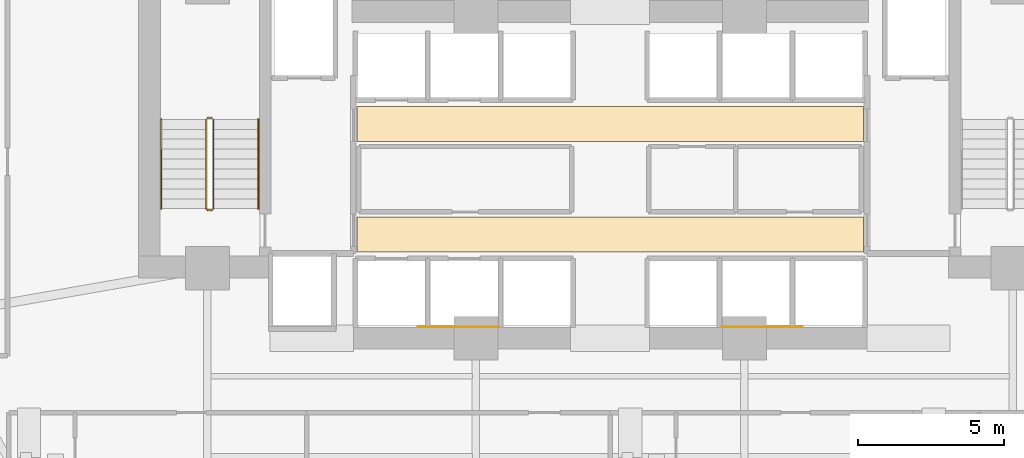
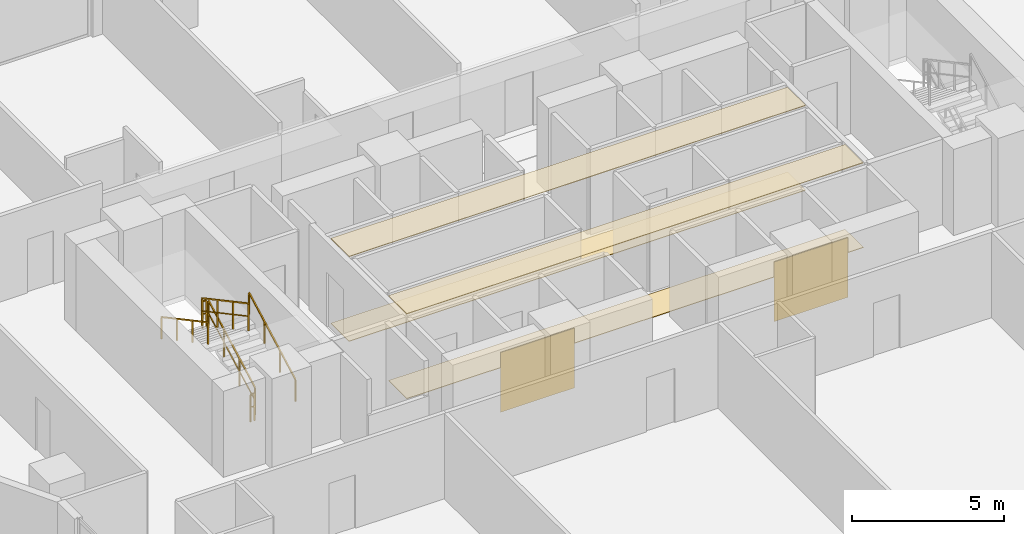
# One storey, part 27 of 30: 6 coverings, 6 railings.
"""IFC4 building model written with IfcOpenShell, lengths in metres."""

from ifc_helpers import new_model, si_unit, direction, frame, origin, origin_2d, place, context, subcontext, project, spatial, polyline, rectangle, outline, extrude, material, layer, layer_set, type_object, element, save


model = new_model("IFC4")

# Units and contexts
model_context = context("Model", 3, precision=1e-05, world=origin(), true_north=direction((0.0, 1.0)))
body_context = subcontext(model_context, "Body", "Model", "MODEL_VIEW")
ifc_project = project(units=[si_unit("LENGTHUNIT", "METRE"), si_unit("AREAUNIT", "SQUARE_METRE"), si_unit("VOLUMEUNIT", "CUBIC_METRE"), si_unit("PLANEANGLEUNIT", "RADIAN"), si_unit("MASSUNIT", "GRAM", prefix="KILO")], contexts=[model_context])

# Site, building, storey
site_placement = place(None, origin())
site = spatial("IfcSite", under=ifc_project, at=site_placement, CompositionType="ELEMENT")
building_placement = place(site_placement, origin())
building = spatial("IfcBuilding", under=site, at=building_placement, Name="Zuhayl Quay Hotel", CompositionType="ELEMENT")
storey_placement = place(building_placement, frame((0.0, 0.0, 135.800048828125)))
storey = spatial("IfcBuildingStorey", under=building, at=storey_placement, Name="L34", CompositionType="ELEMENT", Elevation=135.800048828125)

# Coverings
ifc_material_1 = material(Name="Acoustic Mineral-Fibre Gypsum Board")
ifc_layer_1 = layer(ifc_material_1, 0.02490234375, Name="Acoustic Mineral-Fibre Gypsum Board")
ifc_layer_set_1 = layer_set([ifc_layer_1], Name="Acoustic Mineral-Fibre Gypsum Board")
covering_type_1 = type_object("IfcCoveringType", Name="CV_CEIL_ACOUSTIC", PredefinedType="CEILING", material=ifc_layer_set_1)
covering_1_placement = place(storey_placement, frame((0.0, 0.0, 3.405029296875)))
element("IfcCovering", 1, at=covering_1_placement, inside=storey, type_object=covering_type_1, Name="L34 Suspended Acoustic Lobby Ceiling S", PredefinedType="CEILING", context=body_context, shape_type="SweptSolid", body=[
    extrude(outline(polyline([(-8.679931640625, 5.10009765625), (8.679931640625, 5.10009765625), (8.679931640625, 6.300048828125), (-8.679931640625, 6.300048828125), (-8.679931640625, 5.10009765625)])), origin(), (0.0, 0.0, 1.0), 0.02490234375),
])
covering_2_placement = place(storey_placement, frame((0.0, 0.0, 3.405029296875)))
element("IfcCovering", 2, at=covering_2_placement, inside=storey, type_object=covering_type_1, Name="L34 Suspended Acoustic Lobby Ceiling N", PredefinedType="CEILING", context=body_context, shape_type="SweptSolid", body=[
    extrude(outline(polyline([(-8.679931640625, 8.89990234375), (8.679931640625, 8.89990234375), (8.679931640625, 10.10009765625), (-8.679931640625, 10.10009765625), (-8.679931640625, 8.89990234375)])), origin(), (0.0, 0.0, 1.0), 0.02490234375),
])
ifc_material_2 = material(Name="Polished Limestone Terrazzo", Category="masonry")
ifc_layer_2 = layer(ifc_material_2, 0.02001953125, Name="Polished Limestone Terrazzo", Category="masonry")
ifc_layer_set_2 = layer_set([ifc_layer_2], Name="Polished Limestone Terrazzo")
covering_type_2 = type_object("IfcCoveringType", Name="CV_FLOOR_TERRAZZO", PredefinedType="FLOORING", material=ifc_layer_set_2)
covering_3_placement = place(storey_placement, origin())
element("IfcCovering", 3, at=covering_3_placement, inside=storey, type_object=covering_type_2, Name="L34 Honed Limestone Terrazzo Lobby Flooring S", PredefinedType="FLOORING", context=body_context, shape_type="SweptSolid", body=[
    extrude(outline(polyline([(-8.679931640625, 5.10009765625), (8.679931640625, 5.10009765625), (8.679931640625, 6.300048828125), (-8.679931640625, 6.300048828125), (-8.679931640625, 5.10009765625)])), origin(), (0.0, 0.0, 1.0), 0.02001953125),
])
covering_4_placement = place(storey_placement, origin())
element("IfcCovering", 4, at=covering_4_placement, inside=storey, type_object=covering_type_2, Name="L34 Honed Limestone Terrazzo Lobby Flooring N", PredefinedType="FLOORING", context=body_context, shape_type="SweptSolid", body=[
    extrude(outline(polyline([(-8.679931640625, 8.89990234375), (8.679931640625, 8.89990234375), (8.679931640625, 10.10009765625), (-8.679931640625, 10.10009765625), (-8.679931640625, 8.89990234375)])), origin(), (0.0, 0.0, 1.0), 0.02001953125),
])
ifc_material_3 = material(Name="Acoustic Walnut Feature Timber", Category="wood")
ifc_layer_3 = layer(ifc_material_3, 0.02197265625, Name="Acoustic Walnut Feature Timber", Category="wood")
ifc_layer_set_3 = layer_set([ifc_layer_3], Name="Acoustic Walnut Feature Timber")
covering_type_3 = type_object("IfcCoveringType", Name="CV_WALL_CLAD", PredefinedType="CLADDING", material=ifc_layer_set_3)
for number, where, z_axis, x_axis, name in (
    (5, (-5.199951171875, 2.535888671875, 0.300048828125), (0.0, 0.0, 1.0), (1.0, 0.0, 0.0), "L34 Feature Lobby Walnut Wall Cladding W"),
    (6, (5.199951171875, 2.535888671875, 0.300048828125), (0.0, 0.0, 1.0), (1.0, 0.0, 0.0), "L34 Feature Lobby Walnut Wall Cladding E"),
):
    element("IfcCovering", number, at=place(storey_placement, frame(where, z_axis=z_axis, x_axis=x_axis)), inside=storey, type_object=covering_type_3, Name=name, PredefinedType="CLADDING", context=body_context, shape_type="SweptSolid", body=[
        extrude(rectangle(XDim=2.800048828125, YDim=0.02197265625, at=origin_2d()), origin(), (0.0, 0.0, 1.0), 2.39990234375),
    ])

# Railings
ifc_material_4 = material(Name="Steel ASTM A992 Grade 50", Category="steel")
railing_type_1 = type_object("IfcRailingType", Name="RL_GUARD_1100", PredefinedType="GUARDRAIL", material=ifc_material_4)
railing_1_placement = place(storey_placement, frame((-13.590087890625, 6.590087890625, 0.182373046875)))
element("IfcRailing", 7, at=railing_1_placement, inside=storey, type_object=railing_type_1, Name="L34 ST1 stair guard 1", PredefinedType="GUARDRAIL", context=body_context, shape_type="SweptSolid", body=[
    extrude(rectangle(XDim=0.048095703125, YDim=0.048095703125, at=origin_2d()), frame((0.0, 0.0, 1.09619140625), z_axis=(0.0, 0.88107310026, 0.472980117973), x_axis=(-1.0, 0.0, 0.0)), (0.0, 0.0, 1.0), 3.472900390625),
    extrude(rectangle(XDim=0.0361328125, YDim=0.0361328125, at=origin_2d()), frame((0.0, 0.0, 0.58251953125), z_axis=(0.0, 0.88107310026, 0.472980117973), x_axis=(-1.0, 0.0, 0.0)), (0.0, 0.0, 1.0), 3.472900390625),
    extrude(rectangle(XDim=0.0419921875, YDim=0.0419921875, at=origin_2d()), origin(), (0.0, 0.0, 1.0), 1.072021484375),
    extrude(rectangle(XDim=0.0419921875, YDim=0.0419921875, at=origin_2d()), frame((0.0, 1.02001953125, 0.547607421875)), (0.0, 0.0, 1.0), 1.072021484375),
    extrude(rectangle(XDim=0.0419921875, YDim=0.0419921875, at=origin_2d()), frame((0.0, 2.039794921875, 1.094970703125)), (0.0, 0.0, 1.0), 1.072021484375),
    extrude(rectangle(XDim=0.0419921875, YDim=0.0419921875, at=origin_2d()), frame((0.0, 3.059814453125, 1.642578125)), (0.0, 0.0, 1.0), 1.072021484375),
])
railing_2_placement = place(storey_placement, frame((-13.639892578125, 9.699951171875, 1.824951171875)))
element("IfcRailing", 8, at=railing_2_placement, inside=storey, type_object=railing_type_1, Name="L34 ST1 stair guard 2", PredefinedType="GUARDRAIL", context=body_context, shape_type="SweptSolid", body=[
    extrude(rectangle(XDim=0.048095703125, YDim=0.048095703125, at=origin_2d()), frame((0.0, 0.0, 1.09619140625), z_axis=(-1.0, 0.0, 0.0), x_axis=(0.0, -1.0, 0.0)), (0.0, 0.0, 1.0), 0.150146484375),
    extrude(rectangle(XDim=0.0361328125, YDim=0.0361328125, at=origin_2d()), frame((0.0, 0.0, 0.58251953125), z_axis=(-1.0, 0.0, 0.0), x_axis=(0.0, -1.0, 0.0)), (0.0, 0.0, 1.0), 0.150146484375),
    extrude(rectangle(XDim=0.0419921875, YDim=0.0419921875, at=origin_2d()), origin(), (0.0, 0.0, 1.0), 1.072021484375),
    extrude(rectangle(XDim=0.0419921875, YDim=0.0419921875, at=origin_2d()), frame((-0.150146484375, 0.0, 0.0)), (0.0, 0.0, 1.0), 1.072021484375),
])
railing_3_placement = place(storey_placement, frame((-13.840087890625, 9.64990234375, 2.007568359375)))
element("IfcRailing", 9, at=railing_3_placement, inside=storey, type_object=railing_type_1, Name="L34 ST1 stair guard 3", PredefinedType="GUARDRAIL", context=body_context, shape_type="SweptSolid", body=[
    extrude(rectangle(XDim=0.048095703125, YDim=0.048095703125, at=origin_2d()), frame((0.0, 0.0, 1.09619140625), z_axis=(0.0, -0.881102395774, 0.472925541879), x_axis=(1.0, 0.0, 0.0)), (0.0, 0.0, 1.0), 3.47265625),
    extrude(rectangle(XDim=0.0361328125, YDim=0.0361328125, at=origin_2d()), frame((0.0, 0.0, 0.58251953125), z_axis=(0.0, -0.881102395774, 0.472925541879), x_axis=(1.0, 0.0, 0.0)), (0.0, 0.0, 1.0), 3.47265625),
    extrude(rectangle(XDim=0.0419921875, YDim=0.0419921875, at=origin_2d()), origin(), (0.0, 0.0, 1.0), 1.072021484375),
    extrude(rectangle(XDim=0.0419921875, YDim=0.0419921875, at=origin_2d()), frame((0.0, -1.02001953125, 0.54736328125)), (0.0, 0.0, 1.0), 1.072021484375),
    extrude(rectangle(XDim=0.0419921875, YDim=0.0419921875, at=origin_2d()), frame((0.0, -2.039794921875, 1.094970703125)), (0.0, 0.0, 1.0), 1.072021484375),
    extrude(rectangle(XDim=0.0419921875, YDim=0.0419921875, at=origin_2d()), frame((0.0, -3.059814453125, 1.642333984375)), (0.0, 0.0, 1.0), 1.072021484375),
])
railing_4_placement = place(storey_placement, frame((-13.639892578125, 6.5400390625, 0.0)))
element("IfcRailing", 10, at=railing_4_placement, inside=storey, type_object=railing_type_1, Name="L34 ST1 stair guard 4", PredefinedType="GUARDRAIL", context=body_context, shape_type="SweptSolid", body=[
    extrude(rectangle(XDim=0.048095703125, YDim=0.048095703125, at=origin_2d()), frame((0.0, 0.0, 1.09619140625), z_axis=(-1.0, 0.0, 0.0), x_axis=(0.0, -1.0, 0.0)), (0.0, 0.0, 1.0), 0.150146484375),
    extrude(rectangle(XDim=0.0361328125, YDim=0.0361328125, at=origin_2d()), frame((0.0, 0.0, 0.58251953125), z_axis=(-1.0, 0.0, 0.0), x_axis=(0.0, -1.0, 0.0)), (0.0, 0.0, 1.0), 0.150146484375),
    extrude(rectangle(XDim=0.0419921875, YDim=0.0419921875, at=origin_2d()), origin(), (0.0, 0.0, 1.0), 1.072021484375),
    extrude(rectangle(XDim=0.0419921875, YDim=0.0419921875, at=origin_2d()), frame((-0.150146484375, 0.0, 0.0)), (0.0, 0.0, 1.0), 1.072021484375),
])
railing_type_2 = type_object("IfcRailingType", Name="RL_HANDRAIL_920", PredefinedType="HANDRAIL", material=ifc_material_4)
railing_5_placement = place(storey_placement, frame((-12.050048828125, 6.590087890625, 0.182373046875)))
element("IfcRailing", 11, at=railing_5_placement, inside=storey, type_object=railing_type_2, Name="L34 ST1 stair handrail 1", PredefinedType="HANDRAIL", context=body_context, shape_type="SweptSolid", body=[
    extrude(rectangle(XDim=0.048095703125, YDim=0.048095703125, at=origin_2d()), frame((0.0, 0.0, 0.8759765625), z_axis=(0.0, 0.88107310026, 0.472980117973), x_axis=(-1.0, 0.0, 0.0)), (0.0, 0.0, 1.0), 3.472900390625),
    extrude(rectangle(XDim=0.0419921875, YDim=0.0419921875, at=origin_2d()), origin(), (0.0, 0.0, 1.0), 0.851806640625),
    extrude(rectangle(XDim=0.0419921875, YDim=0.0419921875, at=origin_2d()), frame((0.0, 1.02001953125, 0.547607421875)), (0.0, 0.0, 1.0), 0.851806640625),
    extrude(rectangle(XDim=0.0419921875, YDim=0.0419921875, at=origin_2d()), frame((0.0, 2.039794921875, 1.094970703125)), (0.0, 0.0, 1.0), 0.851806640625),
    extrude(rectangle(XDim=0.0419921875, YDim=0.0419921875, at=origin_2d()), frame((0.0, 3.059814453125, 1.642578125)), (0.0, 0.0, 1.0), 0.851806640625),
])
railing_6_placement = place(storey_placement, frame((-15.3798828125, 9.64990234375, 2.007568359375)))
element("IfcRailing", 12, at=railing_6_placement, inside=storey, type_object=railing_type_2, Name="L34 ST1 stair handrail 2", PredefinedType="HANDRAIL", context=body_context, shape_type="SweptSolid", body=[
    extrude(rectangle(XDim=0.048095703125, YDim=0.048095703125, at=origin_2d()), frame((0.0, 0.0, 0.8759765625), z_axis=(0.0, -0.881102395774, 0.472925541879), x_axis=(1.0, 0.0, 0.0)), (0.0, 0.0, 1.0), 3.47265625),
    extrude(rectangle(XDim=0.0419921875, YDim=0.0419921875, at=origin_2d()), origin(), (0.0, 0.0, 1.0), 0.851806640625),
    extrude(rectangle(XDim=0.0419921875, YDim=0.0419921875, at=origin_2d()), frame((0.0, -1.02001953125, 0.54736328125)), (0.0, 0.0, 1.0), 0.851806640625),
    extrude(rectangle(XDim=0.0419921875, YDim=0.0419921875, at=origin_2d()), frame((0.0, -2.039794921875, 1.094970703125)), (0.0, 0.0, 1.0), 0.851806640625),
    extrude(rectangle(XDim=0.0419921875, YDim=0.0419921875, at=origin_2d()), frame((0.0, -3.059814453125, 1.642333984375)), (0.0, 0.0, 1.0), 0.851806640625),
])

save(model, "model.ifc")
